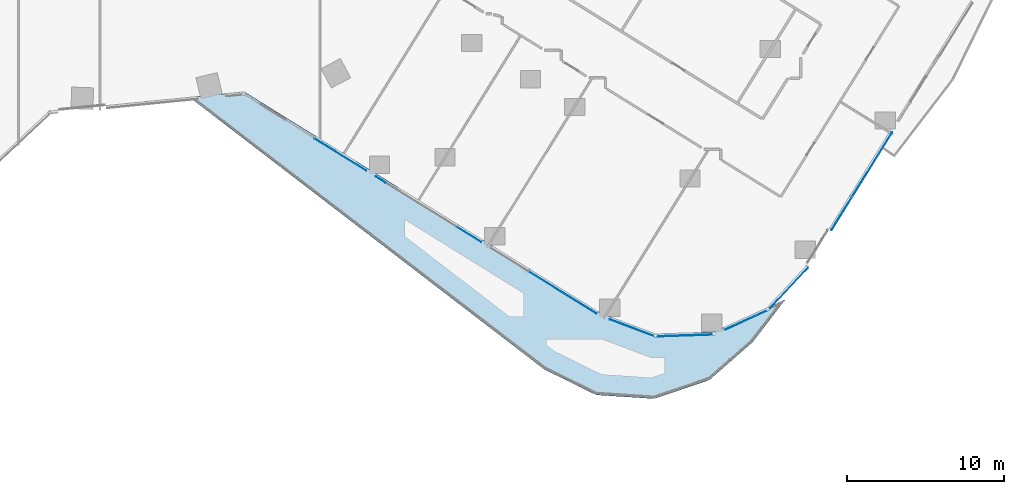
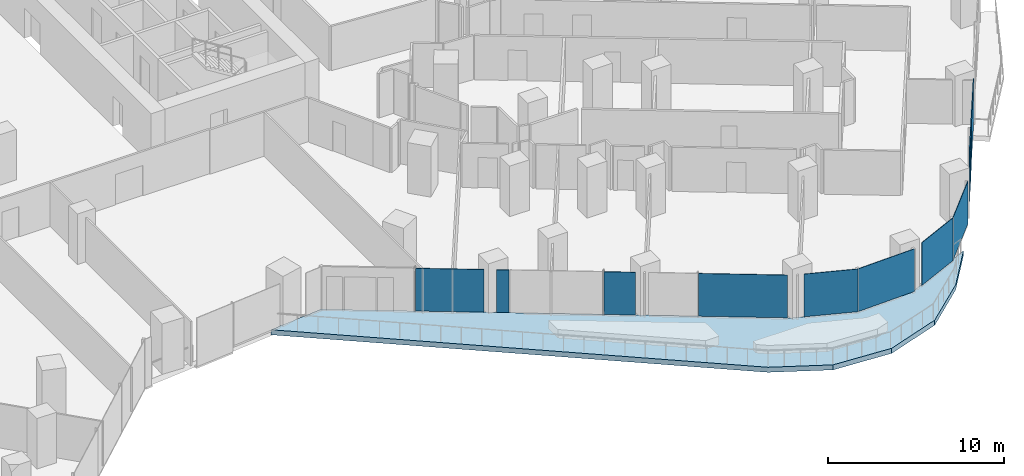
# One storey, part 20 of 34: 10 plates, 1 slab, 6 elements without a shape of their own.
"""IFC4 building model written with IfcOpenShell, lengths in metres."""

from ifc_helpers import new_model, si_unit, direction, frame, origin, origin_2d, place, context, subcontext, project, spatial, polyline, rectangle, outline, extrude, material, layer, layer_set, type_object, element, aggregate, save


model = new_model("IFC4")

# Units and contexts
model_context = context("Model", 3, precision=1e-05, world=origin(), true_north=direction((0.0, 1.0)))
body_context = subcontext(model_context, "Body", "Model", "MODEL_VIEW")
ifc_project = project(units=[si_unit("LENGTHUNIT", "METRE"), si_unit("AREAUNIT", "SQUARE_METRE"), si_unit("VOLUMEUNIT", "CUBIC_METRE"), si_unit("PLANEANGLEUNIT", "RADIAN"), si_unit("MASSUNIT", "GRAM", prefix="KILO")], contexts=[model_context])

# Site, building, storey
site_placement = place(None, origin())
site = spatial("IfcSite", under=ifc_project, at=site_placement, CompositionType="ELEMENT")
building_placement = place(site_placement, origin())
building = spatial("IfcBuilding", under=site, at=building_placement, Name="Orlundy Tower", CompositionType="ELEMENT")
storey_placement = place(building_placement, frame((0.0, 0.0, 37.300048828125)))
storey = spatial("IfcBuildingStorey", under=building, at=storey_placement, Name="L07", CompositionType="ELEMENT", Elevation=37.300048828125)

# Curtain wall, plates
ifc_material_1 = material(Name="Aluminium bronze anodised", Category="aluminium")
curtain_wall_type = type_object("IfcCurtainWallType", Name="CW1 wall", PredefinedType="NOTDEFINED", material=ifc_material_1)
curtain_wall_1_placement = place(storey_placement, origin())
curtain_wall_1 = element("IfcCurtainWall", 1, at=curtain_wall_1_placement, inside=storey, type_object=curtain_wall_type, Name="CW1 run 011", PredefinedType="NOTDEFINED")
ifc_material_2 = material(Name="Tinted glass", Category="glass")
ifc_layer_1 = layer(ifc_material_2, 0.031982421875)
ifc_layer_set_1 = layer_set([ifc_layer_1], Name="CW1 glass panel 32")
plate_type = type_object("IfcPlateType", Name="CW1 glass panel 32", PredefinedType="CURTAIN_PANEL", material=ifc_layer_set_1)
plate_1_placement = place(storey_placement, frame((49.2041015625, -33.863037109375, 0.119873046875), z_axis=(0.0, 0.0, 1.0), x_axis=(-0.527475466848, -0.849570263059, 0.0)))
plate_1 = element("IfcPlate", 2, at=plate_1_placement, type_object=plate_type, Name="CW1 panel", PredefinedType="CURTAIN_PANEL", context=body_context, shape_type="SweptSolid", body=[
    extrude(rectangle(XDim=4.816650390625, YDim=0.031982421875, at=origin_2d()), origin(), (0.0, 0.0, 1.0), 2.9599609375),
])
plate_2_placement = place(storey_placement, frame((47.259033203125, -36.995849609375, -0.300048828125), z_axis=(0.0, 0.0, 1.0), x_axis=(-0.527475466848, -0.849570263059, 0.0)))
plate_2 = element("IfcPlate", 3, at=plate_2_placement, type_object=plate_type, Name="CW1 panel", PredefinedType="CURTAIN_PANEL", context=body_context, shape_type="SweptSolid", body=[
    extrude(rectangle(XDim=2.45849609375, YDim=0.031982421875, at=origin_2d()), origin(), (0.0, 0.0, 1.0), 3.3798828125),
])
aggregate(curtain_wall_1, [plate_1, plate_2])

# Curtain wall, plate
curtain_wall_2_placement = place(storey_placement, origin())
curtain_wall_2 = element("IfcCurtainWall", 4, at=curtain_wall_2_placement, inside=storey, type_object=curtain_wall_type, Name="CW1 run 012", PredefinedType="NOTDEFINED")
plate_3_placement = place(storey_placement, frame((43.8515625, -41.78466796875, 0.119873046875), z_axis=(0.0, 0.0, 1.0), x_axis=(-0.68310607378, -0.730319171298, 0.0)))
plate_3 = element("IfcPlate", 5, at=plate_3_placement, type_object=plate_type, Name="CW1 panel", PredefinedType="CURTAIN_PANEL", context=body_context, shape_type="SweptSolid", body=[
    extrude(rectangle(XDim=3.730224609375, YDim=0.031982421875, at=origin_2d()), origin(), (0.0, 0.0, 1.0), 2.9599609375),
])
aggregate(curtain_wall_2, [plate_3])

curtain_wall_3_placement = place(storey_placement, origin())
curtain_wall_3 = element("IfcCurtainWall", 6, at=curtain_wall_3_placement, inside=storey, type_object=curtain_wall_type, Name="CW1 run 013", PredefinedType="NOTDEFINED")
plate_4_placement = place(storey_placement, frame((41.19775390625, -43.773193359375, 0.119873046875), z_axis=(0.0, 0.0, 1.0), x_axis=(-0.91057887201, -0.413335357608, 0.0)))
plate_4 = element("IfcPlate", 7, at=plate_4_placement, type_object=plate_type, Name="CW1 panel", PredefinedType="CURTAIN_PANEL", context=body_context, shape_type="SweptSolid", body=[
    extrude(rectangle(XDim=3.030517578125, YDim=0.031982421875, at=origin_2d()), origin(), (0.0, 0.0, 1.0), 2.9599609375),
])
aggregate(curtain_wall_3, [plate_4])

curtain_wall_4_placement = place(storey_placement, origin())
curtain_wall_4 = element("IfcCurtainWall", 8, at=curtain_wall_4_placement, inside=storey, type_object=curtain_wall_type, Name="CW1 run 014", PredefinedType="NOTDEFINED")
plate_5_placement = place(storey_placement, frame((37.258056640625, -44.768798828125, 0.119873046875), z_axis=(0.0, 0.0, 1.0), x_axis=(-0.99944040698, -0.033449557474, 0.0)))
plate_5 = element("IfcPlate", 9, at=plate_5_placement, type_object=plate_type, Name="CW1 panel", PredefinedType="CURTAIN_PANEL", context=body_context, shape_type="SweptSolid", body=[
    extrude(rectangle(XDim=3.772216796875, YDim=0.031982421875, at=origin_2d()), origin(), (0.0, 0.0, 1.0), 2.9599609375),
])
aggregate(curtain_wall_4, [plate_5])

curtain_wall_5_placement = place(storey_placement, origin())
curtain_wall_5 = element("IfcCurtainWall", 10, at=curtain_wall_5_placement, inside=storey, type_object=curtain_wall_type, Name="CW1 run 015", PredefinedType="NOTDEFINED")
plate_6_placement = place(storey_placement, frame((33.92138671875, -44.287109375, 0.119873046875), z_axis=(0.0, 0.0, 1.0), x_axis=(-0.936173864009, 0.351537332791, 0.0)))
plate_6 = element("IfcPlate", 11, at=plate_6_placement, type_object=plate_type, Name="CW1 panel", PredefinedType="CURTAIN_PANEL", context=body_context, shape_type="SweptSolid", body=[
    extrude(rectangle(XDim=3.1005859375, YDim=0.031982421875, at=origin_2d()), origin(), (0.0, 0.0, 1.0), 2.9599609375),
])
aggregate(curtain_wall_5, [plate_6])

# Curtain wall, plates
curtain_wall_6_placement = place(storey_placement, origin())
curtain_wall_6 = element("IfcCurtainWall", 12, at=curtain_wall_6_placement, inside=storey, type_object=curtain_wall_type, Name="CW1 run 016", PredefinedType="NOTDEFINED")
plate_7_placement = place(storey_placement, frame((29.469482421875, -42.029296875, 0.119873046875), z_axis=(0.0, 0.0, 1.0), x_axis=(-0.849586512969, 0.52744929328, 0.0)))
plate_7 = element("IfcPlate", 13, at=plate_7_placement, type_object=plate_type, Name="CW1 panel", PredefinedType="CURTAIN_PANEL", context=body_context, shape_type="SweptSolid", body=[
    extrude(rectangle(XDim=5.074462890625, YDim=0.031982421875, at=origin_2d()), origin(), (0.0, 0.0, 1.0), 2.9599609375),
])
plate_8_placement = place(storey_placement, frame((23.52587890625, -38.339599609375, 0.119873046875), z_axis=(0.0, 0.0, 1.0), x_axis=(-0.849586512969, 0.52744929328, 0.0)))
plate_8 = element("IfcPlate", 14, at=plate_8_placement, type_object=plate_type, Name="CW1 panel", PredefinedType="CURTAIN_PANEL", context=body_context, shape_type="SweptSolid", body=[
    extrude(rectangle(XDim=1.79638671875, YDim=0.031982421875, at=origin_2d()), origin(), (0.0, 0.0, 1.0), 2.9599609375),
])
plate_9_placement = place(storey_placement, frame((17.866455078125, -34.825927734375, 0.119873046875), z_axis=(0.0, 0.0, 1.0), x_axis=(-0.849586512969, 0.52744929328, 0.0)))
plate_9 = element("IfcPlate", 15, at=plate_9_placement, type_object=plate_type, Name="CW1 panel", PredefinedType="CURTAIN_PANEL", context=body_context, shape_type="SweptSolid", body=[
    extrude(rectangle(XDim=0.712646484375, YDim=0.031982421875, at=origin_2d()), origin(), (0.0, 0.0, 1.0), 2.9599609375),
])
plate_10_placement = place(storey_placement, frame((15.307373046875, -33.2373046875, 0.119873046875), z_axis=(0.0, 0.0, 1.0), x_axis=(-0.849586512969, 0.52744929328, 0.0)))
plate_10 = element("IfcPlate", 16, at=plate_10_placement, type_object=plate_type, Name="CW1 panel", PredefinedType="CURTAIN_PANEL", context=body_context, shape_type="SweptSolid", body=[
    extrude(rectangle(XDim=3.876220703125, YDim=0.031982421875, at=origin_2d()), origin(), (0.0, 0.0, 1.0), 2.9599609375),
])
aggregate(curtain_wall_6, [plate_7, plate_8, plate_9, plate_10])

# Slab
ifc_material_3 = material(Name="Concrete C45/55", Category="concrete")
ifc_layer_2 = layer(ifc_material_3, 0.35009765625)
ifc_layer_set_2 = layer_set([ifc_layer_2], Name="TERRACE SLAB 350 C45/55")
slab_type = type_object("IfcSlabType", Name="TERRACE SLAB 350 C45/55", PredefinedType="ROOF", material=ifc_layer_set_2)
slab_placement = place(storey_placement, frame((0.0, 0.0, -0.35009765625)))
element("IfcSlab", 17, at=slab_placement, inside=storey, type_object=slab_type, Name="Terrace slab L07-2", PredefinedType="ROOF", context=body_context, shape_type="SweptSolid", body=[
    extrude(outline(polyline([(5.698974609375, -29.58203125), (9.175048828125, -29.236083984375), (31.929931640625, -43.364013671875), (35.39990234375, -44.6669921875), (39.10498046875, -44.54296875), (43.6650390625, -42.470947265625), (41.60595703125, -45.159912109375), (38.819091796875, -47.60400390625), (35.30908203125, -48.7958984375), (31.610107421875, -48.552978515625), (28.285888671875, -46.9140625), (5.698974609375, -29.58203125)])), origin(), (0.0, 0.0, 1.0), 0.35009765625),
])

save(model, "model.ifc")
